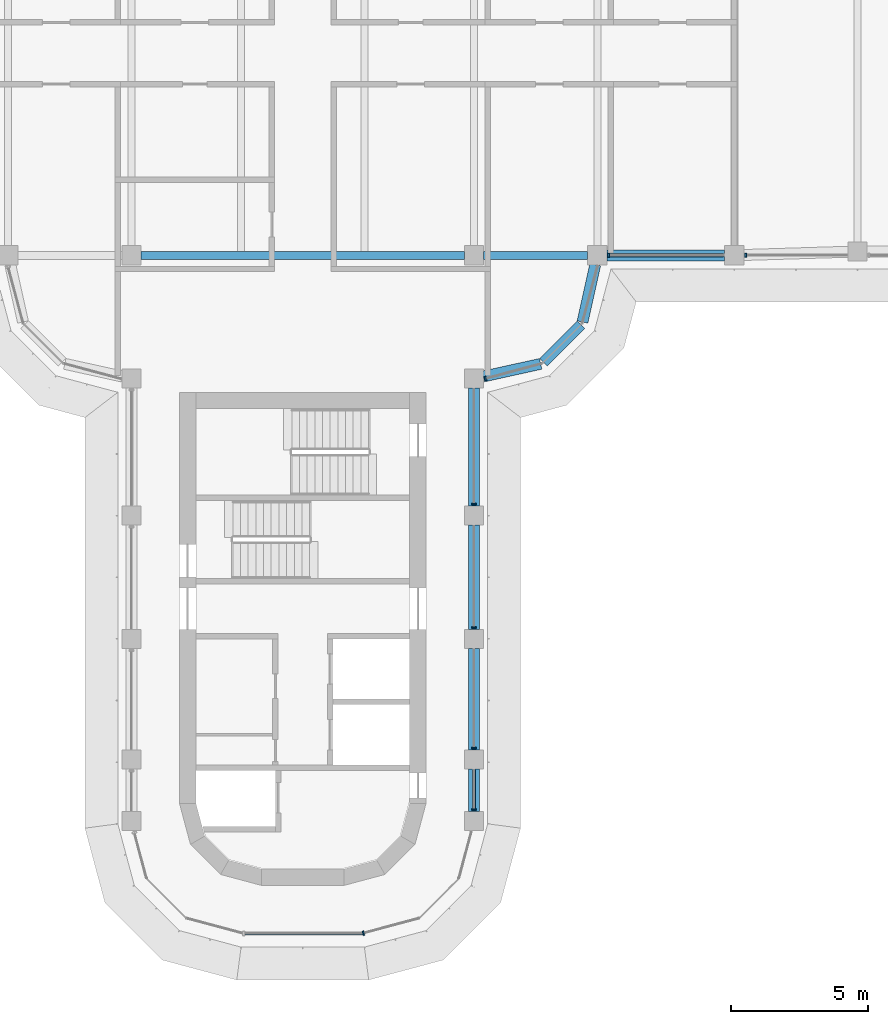
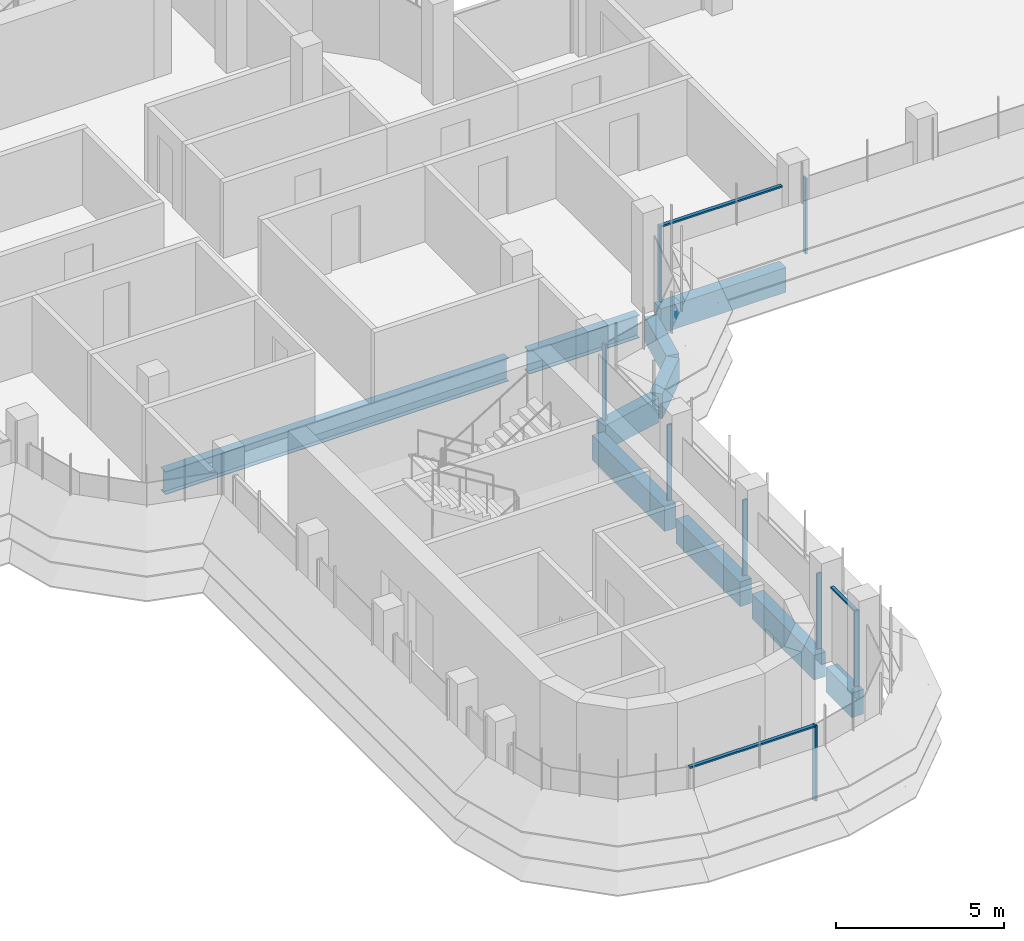
# One storey, part 4 of 18: 11 members, 10 beams, 5 elements without a shape of their own.
"""IFC4 building model written with IfcOpenShell, lengths in metres."""

import ifcopenshell
import ifcopenshell.guid

model = None  # the IFC model being written
_history = None  # IfcOwnerHistory: only IFC2X3 demands one
_inside = {}  # id of a spatial element -> (the spatial element, [elements in it])
_under = {}  # id of a project, library or spatial element -> (it, [spatial elements below it])
_declared = {}  # id of a project -> (the project, [libraries it declares])
_typed = {}  # id of a type object -> (the type object, [elements of that type])
_made_of = {}  # id of a material, layer set ... -> (it, [elements and type objects made of it])


def new_model(schema):
    """Start an empty IFC model of exactly this schema.

    Asked for "IFC4X3", IfcOpenShell would pick the latest addendum, in which some entities
    have other attributes; the version numbers below select the first issue.
    IFC2X3 requires an IfcOwnerHistory on every rooted entity: one is made here for all.
    """
    global model, _history
    if schema == "IFC4X3":
        model = ifcopenshell.file(schema_version=(4, 3, 0, 0))
    else:
        model = ifcopenshell.file(schema=schema)
    _inside.clear()
    _under.clear()
    _declared.clear()
    _typed.clear()
    _made_of.clear()
    _history = None
    if model.schema == "IFC2X3":
        org = make("IfcOrganization", Name="unknown")
        user = make(
            "IfcPersonAndOrganization",
            ThePerson=make("IfcPerson", FamilyName="unknown"),
            TheOrganization=org,
        )
        app = make(
            "IfcApplication",
            ApplicationDeveloper=org,
            Version="unknown",
            ApplicationFullName="unknown",
            ApplicationIdentifier="unknown",
        )
        _history = make(
            "IfcOwnerHistory",
            OwningUser=user,
            OwningApplication=app,
            ChangeAction="ADDED",
            CreationDate=0,
        )
    return model


def make(cls, **values):
    """One entity of the class cls with the attributes given. An attribute that is None is left unset."""
    return model.create_entity(
        cls, **{name: value for name, value in values.items() if value is not None}
    )


def rooted(cls, **values):
    """An entity with a GlobalId (a new one), such as an element, a storey or a relation."""
    return make(cls, GlobalId=ifcopenshell.guid.new(), OwnerHistory=_history, **values)


def si_unit(unit_type, name, prefix=None):
    """IfcSIUnit, for example si_unit("LENGTHUNIT", "METRE", prefix="MILLI")."""
    return make("IfcSIUnit", UnitType=unit_type, Prefix=prefix, Name=name)


def assignment(units):
    """IfcUnitAssignment: the units of a project."""
    return None if units is None else make("IfcUnitAssignment", Units=units)


def point(xyz):
    """IfcCartesianPoint."""
    return None if xyz is None else make("IfcCartesianPoint", Coordinates=xyz)


def direction(xyz):
    """IfcDirection."""
    return None if xyz is None else make("IfcDirection", DirectionRatios=xyz)


def frame(location, z_axis=None, x_axis=None):
    """IfcAxis2Placement3D, a coordinate frame: its origin and axes. An axis left out is left unset."""
    return make(
        "IfcAxis2Placement3D",
        Location=point(location),
        Axis=direction(z_axis),
        RefDirection=direction(x_axis),
    )


def frame_2d(location, x_axis=None):
    """IfcAxis2Placement2D, a coordinate frame in the plane: its origin and x axis."""
    return make(
        "IfcAxis2Placement2D", Location=point(location), RefDirection=direction(x_axis)
    )


def origin():
    """The frame at (0, 0, 0) with its axes left unset."""
    return frame((0.0, 0.0, 0.0))


def origin_2d():
    """The frame at (0, 0) in the plane with its x axis left unset."""
    return frame_2d((0.0, 0.0))


def place(relative_to, where):
    """IfcLocalPlacement: puts the frame where relative to a parent placement (None: the world)."""
    return make(
        "IfcLocalPlacement", PlacementRelTo=relative_to, RelativePlacement=where
    )


def context(
    kind, dimensions, precision=None, world=None, true_north=None, identifier=None
):
    """IfcGeometricRepresentationContext, for example the 3D "Model" context."""
    return make(
        "IfcGeometricRepresentationContext",
        ContextIdentifier=identifier,
        ContextType=kind,
        CoordinateSpaceDimension=dimensions,
        Precision=precision,
        WorldCoordinateSystem=world,
        TrueNorth=true_north,
    )


def subcontext(parent, identifier, kind, view, scale=None):
    """IfcGeometricRepresentationSubContext, for example "Body" below "Model"."""
    return make(
        "IfcGeometricRepresentationSubContext",
        ContextIdentifier=identifier,
        ContextType=kind,
        ParentContext=parent,
        TargetScale=scale,
        TargetView=view,
    )


def project(units=None, contexts=None):
    """IfcProject with its units and contexts."""
    return rooted(
        "IfcProject",
        Name="project",
        RepresentationContexts=contexts,
        UnitsInContext=assignment(units),
    )


def spatial(cls, under=None, at=None, **own):
    """A site, building, storey or space (cls), placed at a placement, below another one or the project."""
    s = rooted(cls, ObjectPlacement=at, **own)
    if under is not None:
        _under.setdefault(under.id(), (under, []))[1].append(s)
    return s


def polyline(points):
    """IfcPolyline through the points."""
    return make("IfcPolyline", Points=[point(p) for p in points])


def profile(cls, at=None, kind="AREA", **sizes):
    """A parametric profile (cls). Its sizes go by their IFC names, for example OverallWidth=200.0."""
    return make(cls, ProfileType=kind, Position=at, **sizes)


def rectangle(**sizes):
    """IfcRectangleProfileDef."""
    return profile("IfcRectangleProfileDef", **sizes)


def i_section(**sizes):
    """IfcIShapeProfileDef."""
    return profile("IfcIShapeProfileDef", **sizes)


def outline(outer, holes=None, kind="AREA"):
    """IfcArbitraryClosedProfileDef: a profile drawn as a closed curve; with holes, ...WithVoids."""
    if holes is None:
        return make("IfcArbitraryClosedProfileDef", ProfileType=kind, OuterCurve=outer)
    return make(
        "IfcArbitraryProfileDefWithVoids",
        ProfileType=kind,
        OuterCurve=outer,
        InnerCurves=holes,
    )


def extrude(swept, where, along, depth):
    """IfcExtrudedAreaSolid: the profile swept, set in the frame where, extruded along a direction by depth."""
    return make(
        "IfcExtrudedAreaSolid",
        SweptArea=swept,
        Position=where,
        ExtrudedDirection=direction(along),
        Depth=depth,
    )


def shape(context_of_items, identifier, shape_type, items):
    """IfcShapeRepresentation: the items that make up one representation, for example the "Body"."""
    return make(
        "IfcShapeRepresentation",
        ContextOfItems=context_of_items,
        RepresentationIdentifier=identifier,
        RepresentationType=shape_type,
        Items=items,
    )


def source(mapping_origin, context_of_items, identifier, shape_type, items):
    """IfcRepresentationMap: a shape defined once, which mapped items show again and again."""
    return make(
        "IfcRepresentationMap",
        MappingOrigin=mapping_origin,
        MappedRepresentation=shape(context_of_items, identifier, shape_type, items),
    )


def transform(
    local_origin,
    x_axis=None,
    y_axis=None,
    z_axis=None,
    scale=None,
    scale2=None,
    scale3=None,
    uniform=True,
):
    """IfcCartesianTransformationOperator3D, or its non-uniform kind. x_axis, y_axis, z_axis: its Axis1, 2, 3."""
    if uniform:
        return make(
            "IfcCartesianTransformationOperator3D",
            Axis1=direction(x_axis),
            Axis2=direction(y_axis),
            LocalOrigin=point(local_origin),
            Scale=scale,
            Axis3=direction(z_axis),
        )
    return make(
        "IfcCartesianTransformationOperator3DnonUniform",
        Axis1=direction(x_axis),
        Axis2=direction(y_axis),
        LocalOrigin=point(local_origin),
        Scale=scale,
        Axis3=direction(z_axis),
        Scale2=scale2,
        Scale3=scale3,
    )


def mapped(mapping_source, mapping_target):
    """IfcMappedItem: shows the shape of a source again, moved by a transform."""
    return make(
        "IfcMappedItem", MappingSource=mapping_source, MappingTarget=mapping_target
    )


def material(Name=None, Category=None):
    """IfcMaterial."""
    return make("IfcMaterial", Name=Name, Category=Category)


def material_profile(
    of_material, cross_section, Name=None, Category=None, Priority=None
):
    """IfcMaterialProfile: a cross section and its material."""
    return make(
        "IfcMaterialProfile",
        Name=Name,
        Material=of_material,
        Profile=cross_section,
        Priority=Priority,
        Category=Category,
    )


def profile_set(profiles, Name=None, composite=None):
    """IfcMaterialProfileSet."""
    return make(
        "IfcMaterialProfileSet",
        Name=Name,
        MaterialProfiles=profiles,
        CompositeProfile=composite,
    )


def made_of(thing, what):
    """Note that an element or type object is made of a material, layer set ...; save() writes the relation."""
    if what is not None:
        _made_of.setdefault(what.id(), (what, []))[1].append(thing)
    return thing


def type_object(cls, material=None, **own):
    """A type object (cls), such as IfcWallType, which elements share."""
    return made_of(rooted(cls, **own), material)


def element(
    cls,
    number,
    at=None,
    inside=None,
    cuts=None,
    type_object=None,
    material=None,
    context=None,
    identifier="Body",
    shape_type=None,
    held_by="IfcProductDefinitionShape",
    body=None,
    shapes=None,
    **own,
):
    """One element of the class cls, such as IfcWall. Its Tag is "e" and its number.

    at: its placement. inside: the storey or other place that contains it. cuts: it is an
    opening in that element (IfcRelVoidsElement). A single representation is given by context,
    identifier, shape_type and body (its items); several are given by shapes. held_by: the class
    of the entity that holds the representations. save() writes the other relations.
    """
    e = rooted(cls, Tag="e%d" % number, ObjectPlacement=at, **own)
    if body is not None:
        shapes = [shape(context, identifier, shape_type, body)]
    if shapes is not None:
        e.Representation = make(held_by, Representations=shapes)
    if inside is not None:
        _inside.setdefault(inside.id(), (inside, []))[1].append(e)
    if cuts is not None:
        rooted(
            "IfcRelVoidsElement", RelatingBuildingElement=cuts, RelatedOpeningElement=e
        )
    if type_object is not None:
        _typed.setdefault(type_object.id(), (type_object, []))[1].append(e)
    return made_of(e, material)


def aggregate(whole, parts):
    """IfcRelAggregates: a whole, such as a stair, and the parts it consists of."""
    return rooted("IfcRelAggregates", RelatingObject=whole, RelatedObjects=parts)


def save(model, path):
    """Write the relations noted so far, then the file.

    IfcRelAggregates (storeys below a building ...), IfcRelContainedInSpatialStructure (elements
    in a storey), IfcRelDefinesByType, IfcRelAssociatesMaterial and IfcRelDeclares: one each for
    every whole, place, type object, material and project.
    """
    for whole, parts in _under.values():
        aggregate(whole, parts)
    for where, things in _inside.values():
        rooted(
            "IfcRelContainedInSpatialStructure",
            RelatedElements=things,
            RelatingStructure=where,
        )
    for kind, things in _typed.values():
        rooted("IfcRelDefinesByType", RelatedObjects=things, RelatingType=kind)
    for what, things in _made_of.values():
        rooted("IfcRelAssociatesMaterial", RelatedObjects=things, RelatingMaterial=what)
    for by, libraries in _declared.values():
        rooted("IfcRelDeclares", RelatingContext=by, RelatedDefinitions=libraries)
    model.write(path)


model = new_model("IFC4")

# Units and contexts
model_context = context("Model", 3, precision=1e-05, world=origin(), true_north=direction((0.0, 1.0)))
body_context = subcontext(model_context, "Body", "Model", "MODEL_VIEW")
ifc_project = project(units=[si_unit("LENGTHUNIT", "METRE"), si_unit("AREAUNIT", "SQUARE_METRE"), si_unit("VOLUMEUNIT", "CUBIC_METRE"), si_unit("PLANEANGLEUNIT", "RADIAN"), si_unit("MASSUNIT", "GRAM", prefix="KILO")], contexts=[model_context])

# Site, building, storey
site_placement = place(None, origin())
site = spatial("IfcSite", under=ifc_project, at=site_placement, CompositionType="ELEMENT")
building_placement = place(site_placement, origin())
building = spatial("IfcBuilding", under=site, at=building_placement, Name="Zarbagh Exchange Tower", CompositionType="ELEMENT")
storey_placement = place(building_placement, frame((0.0, 0.0, 214.39990234375)))
storey = spatial("IfcBuildingStorey", under=building, at=storey_placement, Name="L52", CompositionType="ELEMENT", Elevation=214.39990234375)

# Beams
ifc_material_1 = material(Name="Steel ASTM A992 Gr 50", Category="steel")
ifc_material_profile_1 = material_profile(ifc_material_1, i_section(OverallWidth=0.2919921875, OverallDepth=0.835693359375, WebThickness=0.013916015625, FlangeThickness=0.018798828125, at=origin_2d()), Name="W33X118")
ifc_profile_set_1 = profile_set([ifc_material_profile_1], Name="Steel ASTM A992 Gr 50")
beam_type_1 = type_object("IfcBeamType", Name="Floor girder W33X118", PredefinedType="BEAM", material=ifc_profile_set_1)
beam_1_placement = place(storey_placement, frame((-5.89990234375, -6.25, -0.567626953125), z_axis=(1.0, 0.0, 0.0), x_axis=(0.0, 1.0, 0.0)))
element("IfcBeam", 1, at=beam_1_placement, inside=storey, type_object=beam_type_1, Name="Steel girder", PredefinedType="BEAM", context=body_context, shape_type="SweptSolid", body=[
    extrude(i_section(OverallWidth=0.2919921875, OverallDepth=0.835693359375, WebThickness=0.013916015625, FlangeThickness=0.018798828125, at=origin_2d()), origin(), (0.0, 0.0, 1.0), 11.7998046875),
])
beam_2_placement = place(storey_placement, frame((6.60009765625, -6.25, -0.567626953125), z_axis=(1.0, 0.0, 0.0), x_axis=(0.0, 1.0, 0.0)))
element("IfcBeam", 2, at=beam_2_placement, inside=storey, type_object=beam_type_1, Name="Steel girder", PredefinedType="BEAM", context=body_context, shape_type="SweptSolid", body=[
    extrude(i_section(OverallWidth=0.2919921875, OverallDepth=0.835693359375, WebThickness=0.013916015625, FlangeThickness=0.018798828125, at=origin_2d()), origin(), (0.0, 0.0, 1.0), 3.7998046875),
])
ifc_material_2 = material(Name="Concrete C50/60", Category="concrete")
ifc_material_profile_2 = material_profile(ifc_material_2, rectangle(XDim=0.39990234375, YDim=0.89990234375, at=origin_2d()), Name="RC spandrel beam 400 x 900 C50/60")
ifc_profile_set_2 = profile_set([ifc_material_profile_2], Name="Concrete C50/60")
beam_type_2 = type_object("IfcBeamType", Name="RC spandrel beam 400 x 900 C50/60", PredefinedType="SPANDREL", material=ifc_profile_set_2)
beam_3_placement = place(storey_placement, frame((15.39990234375, -6.25, -0.599853515625), z_axis=(-1.0, 0.0, 0.0), x_axis=(0.0, -1.0, 0.0)))
element("IfcBeam", 3, at=beam_3_placement, inside=storey, type_object=beam_type_2, Name="RC spandrel beam", PredefinedType="SPANDREL", context=body_context, shape_type="SweptSolid", body=[
    extrude(rectangle(XDim=0.39990234375, YDim=0.89990234375, at=origin_2d()), origin(), (0.0, 0.0, 1.0), 4.2998046875),
])
beam_4_placement = place(storey_placement, frame((10.67431640625, -6.591796875, -0.599853515625), z_axis=(-0.216013551096, -0.97639036545, 0.0), x_axis=(0.97639036545, -0.216013551096, 0.0)))
element("IfcBeam", 4, at=beam_4_placement, inside=storey, type_object=beam_type_2, Name="RC spandrel beam", PredefinedType="SPANDREL", context=body_context, shape_type="SweptSolid", body=[
    extrude(rectangle(XDim=0.39990234375, YDim=0.89990234375, at=origin_2d()), origin(), (0.0, 0.0, 1.0), 2.142822265625),
])
beam_5_placement = place(storey_placement, frame((10.15771484375, -8.782470703125, -0.599853515625), z_axis=(-0.707106781187, -0.707106781187, 0.0), x_axis=(0.707106781187, -0.707106781187, 0.0)))
element("IfcBeam", 5, at=beam_5_placement, inside=storey, type_object=beam_type_2, Name="RC spandrel beam", PredefinedType="SPANDREL", context=body_context, shape_type="SweptSolid", body=[
    extrude(rectangle(XDim=0.39990234375, YDim=0.89990234375, at=origin_2d()), origin(), (0.0, 0.0, 1.0), 1.94482421875),
])
beam_6_placement = place(storey_placement, frame((8.68408203125, -10.21142578125, -0.599853515625), z_axis=(-0.97639036545, -0.216013551096, 0.0), x_axis=(0.216013551096, -0.97639036545, 0.0)))
element("IfcBeam", 6, at=beam_6_placement, inside=storey, type_object=beam_type_2, Name="RC spandrel beam", PredefinedType="SPANDREL", context=body_context, shape_type="SweptSolid", body=[
    extrude(rectangle(XDim=0.39990234375, YDim=0.89990234375, at=origin_2d()), origin(), (0.0, 0.0, 1.0), 2.142822265625),
])
beam_7_placement = place(storey_placement, frame((6.25, -11.10009765625, -0.599853515625), z_axis=(0.0, -1.0, 0.0), x_axis=(1.0, 0.0, 0.0)))
element("IfcBeam", 7, at=beam_7_placement, inside=storey, type_object=beam_type_2, Name="RC spandrel beam", PredefinedType="SPANDREL", context=body_context, shape_type="SweptSolid", body=[
    extrude(rectangle(XDim=0.39990234375, YDim=0.89990234375, at=origin_2d()), origin(), (0.0, 0.0, 1.0), 4.2998046875),
])
beam_8_placement = place(storey_placement, frame((6.25, -16.10009765625, -0.599853515625), z_axis=(0.0, -1.0, 0.0), x_axis=(1.0, 0.0, 0.0)))
element("IfcBeam", 8, at=beam_8_placement, inside=storey, type_object=beam_type_2, Name="RC spandrel beam", PredefinedType="SPANDREL", context=body_context, shape_type="SweptSolid", body=[
    extrude(rectangle(XDim=0.39990234375, YDim=0.89990234375, at=origin_2d()), origin(), (0.0, 0.0, 1.0), 3.7998046875),
])
beam_9_placement = place(storey_placement, frame((6.25, -20.60009765625, -0.599853515625), z_axis=(0.0, -1.0, 0.0), x_axis=(1.0, 0.0, 0.0)))
element("IfcBeam", 9, at=beam_9_placement, inside=storey, type_object=beam_type_2, Name="RC spandrel beam", PredefinedType="SPANDREL", context=body_context, shape_type="SweptSolid", body=[
    extrude(rectangle(XDim=0.39990234375, YDim=0.89990234375, at=origin_2d()), origin(), (0.0, 0.0, 1.0), 3.699951171875),
])
beam_10_placement = place(storey_placement, frame((6.25, -25.0, -0.599853515625), z_axis=(0.0, -1.0, 0.0), x_axis=(1.0, 0.0, 0.0)))
element("IfcBeam", 10, at=beam_10_placement, inside=storey, type_object=beam_type_2, Name="RC spandrel beam", PredefinedType="SPANDREL", context=body_context, shape_type="SweptSolid", body=[
    extrude(rectangle(XDim=0.39990234375, YDim=0.89990234375, at=origin_2d()), origin(), (0.0, 0.0, 1.0), 1.550048828125),
])

# Curtain wall, member
ifc_material_3 = material(Name="Anodised aluminium frame and glazing", Category="aluminium")
curtain_wall_type = type_object("IfcCurtainWallType", Name="CWB Ribbon glazing, upper zones", PredefinedType="NOTDEFINED", material=ifc_material_3)
curtain_wall_1_placement = place(storey_placement, origin())
curtain_wall_1 = element("IfcCurtainWall", 11, at=curtain_wall_1_placement, inside=storey, type_object=curtain_wall_type, Name="CWB49 curtain wall", PredefinedType="NOTDEFINED")
ifc_material_4 = material(Name="Anodised aluminium frame", Category="aluminium")
member_type_1 = type_object("IfcMemberType", Name="MUB Mullion, anodised aluminium frame", PredefinedType="MULLION", material=ifc_material_4)
shared_shape_1 = source(origin(), body_context, "Body", "SweptSolid", [
    extrude(outline(polyline([(0.0, -0.080078125), (0.06005859375, -0.080078125), (0.06005859375, 0.080078125), (0.0, 0.080078125), (0.0, -0.080078125)])), origin(), (0.0, 0.0, 1.0), 2.75),
])
placement = place(storey_placement, origin())
member_1 = element("IfcMember", 12, at=placement, type_object=member_type_1, Name="CWB49 mullion 1.1", PredefinedType="MULLION", context=body_context, shape_type="MappedRepresentation", body=[
    mapped(shared_shape_1, transform((2.18408203125, -31.0, 0.0), x_axis=(0.965924289636, 0.258824779902, 0.0), y_axis=(-0.258824779902, 0.965924289636, 0.0), z_axis=(0.0, 0.0, 1.0))),
])
aggregate(curtain_wall_1, [member_1])

# Curtain wall, members
curtain_wall_2_placement = place(storey_placement, origin())
curtain_wall_2 = element("IfcCurtainWall", 13, at=curtain_wall_2_placement, inside=storey, type_object=curtain_wall_type, Name="CWB52 curtain wall", PredefinedType="NOTDEFINED")
member_2 = element("IfcMember", 14, at=placement, type_object=member_type_1, Name="CWB52 mullion 1.1", PredefinedType="MULLION", context=body_context, shape_type="MappedRepresentation", body=[
    mapped(shared_shape_1, transform((6.25, -26.510009765625, 0.0), x_axis=(0.0, 1.0, 0.0), y_axis=(-1.0, 0.0, 0.0), z_axis=(0.0, 0.0, 1.0))),
])
member_3 = element("IfcMember", 15, at=placement, type_object=member_type_1, Name="CWB52 mullion 2.1", PredefinedType="MULLION", context=body_context, shape_type="MappedRepresentation", body=[
    mapped(shared_shape_1, transform((6.25, -24.260009765625, 0.0), x_axis=(0.0, 1.0, 0.0), y_axis=(-1.0, 0.0, 0.0), z_axis=(0.0, 0.0, 1.0))),
])
member_4 = element("IfcMember", 16, at=placement, type_object=member_type_1, Name="CWB52 mullion 3.1", PredefinedType="MULLION", context=body_context, shape_type="MappedRepresentation", body=[
    mapped(shared_shape_1, transform((6.25, -19.85986328125, 0.0), x_axis=(0.0, 1.0, 0.0), y_axis=(-1.0, 0.0, 0.0), z_axis=(0.0, 0.0, 1.0))),
])
member_5 = element("IfcMember", 17, at=placement, type_object=member_type_1, Name="CWB52 mullion 4.1", PredefinedType="MULLION", context=body_context, shape_type="MappedRepresentation", body=[
    mapped(shared_shape_1, transform((6.25, -15.35986328125, 0.0), x_axis=(0.0, 1.0, 0.0), y_axis=(-1.0, 0.0, 0.0), z_axis=(0.0, 0.0, 1.0))),
])

# Curtain wall, member
curtain_wall_3_placement = place(storey_placement, origin())
curtain_wall_3 = element("IfcCurtainWall", 18, at=curtain_wall_3_placement, inside=storey, type_object=curtain_wall_type, Name="CWB05 curtain wall", PredefinedType="NOTDEFINED")
member_6 = element("IfcMember", 19, at=placement, type_object=member_type_1, Name="CWB05 mullion 1.1", PredefinedType="MULLION", context=body_context, shape_type="MappedRepresentation", body=[
    mapped(shared_shape_1, transform((6.64013671875, -10.76171875, 0.0), x_axis=(0.965924289636, 0.258824779902, 0.0), y_axis=(-0.258824779902, 0.965924289636, 0.0), z_axis=(0.0, 0.0, 1.0))),
])
aggregate(curtain_wall_3, [member_6])

# Curtain wall, members
curtain_wall_4_placement = place(storey_placement, origin())
curtain_wall_4 = element("IfcCurtainWall", 20, at=curtain_wall_4_placement, inside=storey, type_object=curtain_wall_type, Name="CWB08 curtain wall", PredefinedType="NOTDEFINED")
member_7 = element("IfcMember", 21, at=placement, type_object=member_type_1, Name="CWB08 mullion 1.1", PredefinedType="MULLION", context=body_context, shape_type="MappedRepresentation", body=[
    mapped(shared_shape_1, transform((11.14013671875, -6.25, 0.0), x_axis=(1.0, 0.0, 0.0), y_axis=(0.0, 1.0, 0.0), z_axis=(0.0, 0.0, 1.0))),
])
member_8 = element("IfcMember", 22, at=placement, type_object=member_type_1, Name="CWB08 mullion 2.1", PredefinedType="MULLION", context=body_context, shape_type="MappedRepresentation", body=[
    mapped(shared_shape_1, transform((16.14013671875, -6.25, 0.0), x_axis=(1.0, 0.0, 0.0), y_axis=(0.0, 1.0, 0.0), z_axis=(0.0, 0.0, 1.0))),
])

# Curtain wall, member
curtain_wall_5_placement = place(storey_placement, origin())
curtain_wall_5 = element("IfcCurtainWall", 23, at=curtain_wall_5_placement, inside=storey, type_object=curtain_wall_type, Name="CWB57 curtain wall", PredefinedType="NOTDEFINED")
member_type_2 = type_object("IfcMemberType", Name="TRB Transom, anodised aluminium frame", PredefinedType="USERDEFINED", material=ifc_material_4)
shared_shape_2 = source(origin(), body_context, "Body", "SweptSolid", [
    extrude(outline(polyline([(-0.06005859375, -0.06005859375), (0.0, -0.06005859375), (0.0, 0.06005859375), (-0.06005859375, 0.06005859375), (-0.06005859375, -0.06005859375)])), origin(), (0.0, 0.0, 1.0), 4.308349609375),
])
member_9 = element("IfcMember", 24, at=placement, type_object=member_type_2, Name="CWB57 transom 1.1", ObjectType="TRANSOM", PredefinedType="USERDEFINED", context=body_context, shape_type="MappedRepresentation", body=[
    mapped(shared_shape_2, transform((-2.124267578125, -31.0, 2.75), x_axis=(0.0, 0.0, 1.0), y_axis=(0.0, -1.0, 0.0), z_axis=(1.0, 0.0, 0.0))),
])
aggregate(curtain_wall_5, [member_9])

# Member
shared_shape_3 = source(origin(), body_context, "Body", "SweptSolid", [
    extrude(outline(polyline([(-0.06005859375, -0.06005859375), (0.0, -0.06005859375), (0.0, 0.06005859375), (-0.06005859375, 0.06005859375), (-0.06005859375, -0.06005859375)])), origin(), (0.0, 0.0, 1.0), 1.409912109375),
])
member_10 = element("IfcMember", 25, at=placement, type_object=member_type_2, Name="CWB52 transom 1.1", ObjectType="TRANSOM", PredefinedType="USERDEFINED", context=body_context, shape_type="MappedRepresentation", body=[
    mapped(shared_shape_3, transform((6.25, -26.449951171875, 2.75), x_axis=(0.0, 0.0, 1.0), y_axis=(1.0, 0.0, 0.0), z_axis=(0.0, 1.0, 0.0))),
])

aggregate(curtain_wall_2, [member_2, member_10, member_3, member_4, member_5])

shared_shape_4 = source(origin(), body_context, "Body", "SweptSolid", [
    extrude(outline(polyline([(-0.06005859375, -0.06005859375), (0.0, -0.06005859375), (0.0, 0.06005859375), (-0.06005859375, 0.06005859375), (-0.06005859375, -0.06005859375)])), origin(), (0.0, 0.0, 1.0), 4.159912109375),
])
member_11 = element("IfcMember", 26, at=placement, type_object=member_type_2, Name="CWB08 transom 1.1", ObjectType="TRANSOM", PredefinedType="USERDEFINED", context=body_context, shape_type="MappedRepresentation", body=[
    mapped(shared_shape_4, transform((11.199951171875, -6.25, 2.75), x_axis=(0.0, 0.0, 1.0), y_axis=(0.0, -1.0, 0.0), z_axis=(1.0, 0.0, 0.0))),
])

aggregate(curtain_wall_4, [member_7, member_11, member_8])

save(model, "model.ifc")
